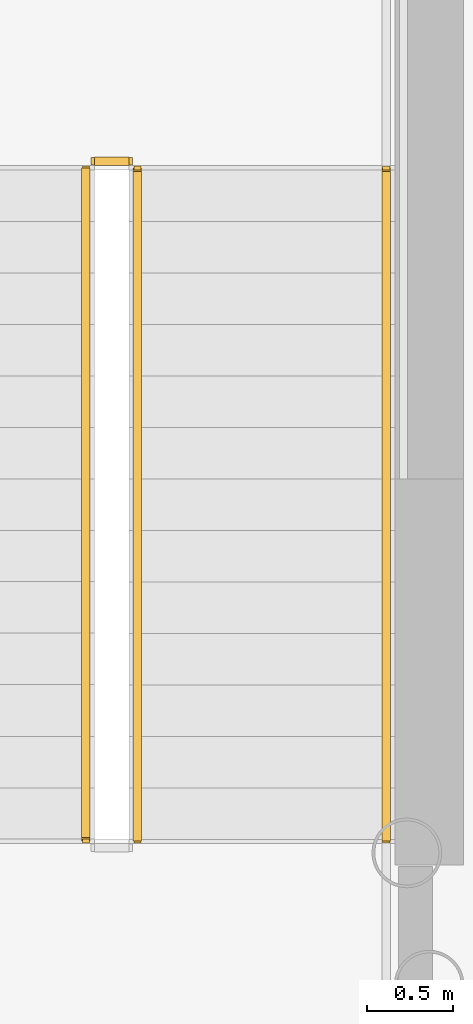
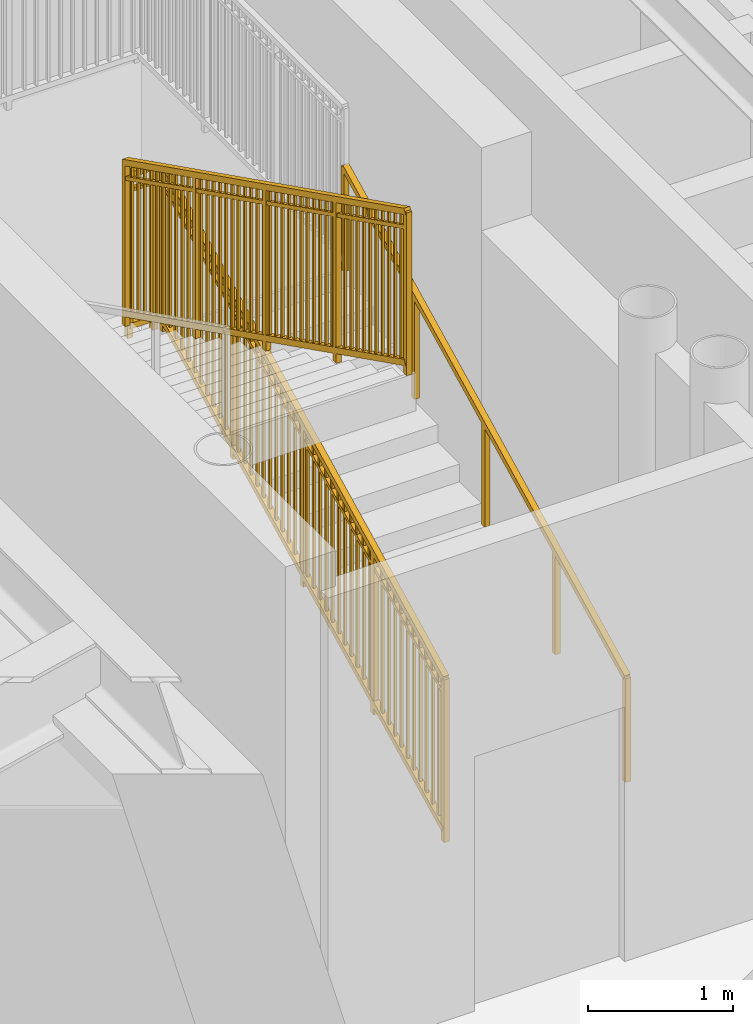
# One storey, part 16 of 21: 4 railings.
"""IFC4 building model written with IfcOpenShell, lengths in metres."""

from ifc_helpers import new_model, si_unit, direction, frame, origin, origin_2d, place, context, subcontext, project, spatial, rectangle, extrude, source, transform, mapped, material, type_object, element, save


model = new_model("IFC4")

# Units and contexts
model_context = context("Model", 3, precision=1e-05, world=origin(), true_north=direction((0.0, 1.0)))
body_context = subcontext(model_context, "Body", "Model", "MODEL_VIEW")
ifc_project = project(units=[si_unit("LENGTHUNIT", "METRE"), si_unit("AREAUNIT", "SQUARE_METRE"), si_unit("VOLUMEUNIT", "CUBIC_METRE"), si_unit("PLANEANGLEUNIT", "RADIAN"), si_unit("MASSUNIT", "GRAM", prefix="KILO")], contexts=[model_context])

# Site, building, storey
site_placement = place(None, origin())
site = spatial("IfcSite", under=ifc_project, at=site_placement, CompositionType="ELEMENT")
building_placement = place(site_placement, origin())
building = spatial("IfcBuilding", under=site, at=building_placement, Name="Linh Dai School and Residence Tower", CompositionType="ELEMENT")
storey_placement = place(building_placement, frame((0.0, 0.0, 82.800048828125)))
storey = spatial("IfcBuildingStorey", under=building, at=storey_placement, Name="L19", CompositionType="ELEMENT", Elevation=82.800048828125)

# Railings
ifc_material_1 = material(Name="Structural Steel S355JR", Category="steel")
railing_type_1 = type_object("IfcRailingType", Name="RL-ST-GUARD-1400", PredefinedType="GUARDRAIL", material=ifc_material_1)
shared_shape_1 = source(origin(), body_context, "Body", "SweptSolid", [
    extrude(rectangle(XDim=0.048095703125, YDim=0.048095703125, at=origin_2d()), frame((0.0, 0.0, 1.3759765625), z_axis=(-1.0, 0.0, 0.0), x_axis=(0.0, -1.0, 0.0)), (0.0, 0.0, 1.0), 0.199951171875),
    extrude(rectangle(XDim=0.048095703125, YDim=0.048095703125, at=origin_2d()), frame((0.0, 0.0, 0.10009765625), z_axis=(-1.0, 0.0, 0.0), x_axis=(0.0, -1.0, 0.0)), (0.0, 0.0, 1.0), 0.199951171875),
    extrude(rectangle(XDim=0.030029296875, YDim=0.030029296875, at=origin_2d()), frame((0.0, 0.0, 1.239990234375), z_axis=(-1.0, 0.0, 0.0), x_axis=(0.0, -1.0, 0.0)), (0.0, 0.0, 1.0), 0.199951171875),
    extrude(rectangle(XDim=0.0419921875, YDim=0.0419921875, at=origin_2d()), origin(), (0.0, 0.0, 1.0), 1.3759765625),
    extrude(rectangle(XDim=0.0419921875, YDim=0.0419921875, at=origin_2d()), frame((-0.199951171875, 0.0, 0.0)), (0.0, 0.0, 1.0), 1.3759765625),
])
railing_1_placement = place(storey_placement, frame((29.429931640625, 29.64990234375, 2.099853515625)))
element("IfcRailing", 1, at=railing_1_placement, inside=storey, type_object=railing_type_1, Name="L19 ST1 stair guard 2", PredefinedType="GUARDRAIL", context=body_context, shape_type="MappedRepresentation", body=[
    mapped(shared_shape_1, transform((0.0, 0.0, 0.0), x_axis=(1.0, 0.0, 0.0), y_axis=(0.0, 1.0, 0.0), z_axis=(0.0, 0.0, 1.0), scale=1.0)),
])
shared_shape_2 = source(origin(), body_context, "Body", "SweptSolid", [
    extrude(rectangle(XDim=0.048095703125, YDim=0.048095703125, at=origin_2d()), frame((0.0, 0.0, 1.3759765625), z_axis=(0.0, -0.894438388696, 0.447191199406), x_axis=(1.0, 0.0, 0.0)), (0.0, 0.0, 1.0), 4.3603515625),
    extrude(rectangle(XDim=0.048095703125, YDim=0.048095703125, at=origin_2d()), frame((0.0, 0.0, 0.10009765625), z_axis=(0.0, -0.894438388696, 0.447191199406), x_axis=(1.0, 0.0, 0.0)), (0.0, 0.0, 1.0), 4.3603515625),
    extrude(rectangle(XDim=0.030029296875, YDim=0.030029296875, at=origin_2d()), frame((0.0, 0.0, 1.239990234375), z_axis=(0.0, -0.894438388696, 0.447191199406), x_axis=(1.0, 0.0, 0.0)), (0.0, 0.0, 1.0), 4.3603515625),
    extrude(rectangle(XDim=0.02001953125, YDim=0.02001953125, at=origin_2d()), frame((0.0, -0.086669921875, 0.143310546875)), (0.0, 0.0, 1.0), 1.251708984375),
    extrude(rectangle(XDim=0.02001953125, YDim=0.02001953125, at=origin_2d()), frame((0.0, -0.17333984375, 0.186767578125)), (0.0, 0.0, 1.0), 1.251708984375),
    extrude(rectangle(XDim=0.02001953125, YDim=0.02001953125, at=origin_2d()), frame((0.0, -0.260009765625, 0.22998046875)), (0.0, 0.0, 1.0), 1.251708984375),
    extrude(rectangle(XDim=0.02001953125, YDim=0.02001953125, at=origin_2d()), frame((0.0, -0.3466796875, 0.2734375)), (0.0, 0.0, 1.0), 1.251708984375),
    extrude(rectangle(XDim=0.02001953125, YDim=0.02001953125, at=origin_2d()), frame((0.0, -0.433349609375, 0.316650390625)), (0.0, 0.0, 1.0), 1.251708984375),
    extrude(rectangle(XDim=0.02001953125, YDim=0.02001953125, at=origin_2d()), frame((0.0, -0.52001953125, 0.360107421875)), (0.0, 0.0, 1.0), 1.251708984375),
    extrude(rectangle(XDim=0.02001953125, YDim=0.02001953125, at=origin_2d()), frame((0.0, -0.606689453125, 0.4033203125)), (0.0, 0.0, 1.0), 1.251708984375),
    extrude(rectangle(XDim=0.02001953125, YDim=0.02001953125, at=origin_2d()), frame((0.0, -0.693359375, 0.44677734375)), (0.0, 0.0, 1.0), 1.251708984375),
    extrude(rectangle(XDim=0.02001953125, YDim=0.02001953125, at=origin_2d()), frame((0.0, -0.780029296875, 0.489990234375)), (0.0, 0.0, 1.0), 1.251708984375),
    extrude(rectangle(XDim=0.02001953125, YDim=0.02001953125, at=origin_2d()), frame((0.0, -0.86669921875, 0.533447265625)), (0.0, 0.0, 1.0), 1.251708984375),
    extrude(rectangle(XDim=0.02001953125, YDim=0.02001953125, at=origin_2d()), frame((0.0, -1.0400390625, 0.6201171875)), (0.0, 0.0, 1.0), 1.251708984375),
    extrude(rectangle(XDim=0.02001953125, YDim=0.02001953125, at=origin_2d()), frame((0.0, -1.126708984375, 0.663330078125)), (0.0, 0.0, 1.0), 1.251708984375),
    extrude(rectangle(XDim=0.02001953125, YDim=0.02001953125, at=origin_2d()), frame((0.0, -1.21337890625, 0.706787109375)), (0.0, 0.0, 1.0), 1.251708984375),
    extrude(rectangle(XDim=0.02001953125, YDim=0.02001953125, at=origin_2d()), frame((0.0, -1.300048828125, 0.75)), (0.0, 0.0, 1.0), 1.251708984375),
    extrude(rectangle(XDim=0.02001953125, YDim=0.02001953125, at=origin_2d()), frame((0.0, -1.38671875, 0.79345703125)), (0.0, 0.0, 1.0), 1.251708984375),
    extrude(rectangle(XDim=0.02001953125, YDim=0.02001953125, at=origin_2d()), frame((0.0, -1.473388671875, 0.836669921875)), (0.0, 0.0, 1.0), 1.251708984375),
    extrude(rectangle(XDim=0.02001953125, YDim=0.02001953125, at=origin_2d()), frame((0.0, -1.56005859375, 0.880126953125)), (0.0, 0.0, 1.0), 1.251708984375),
    extrude(rectangle(XDim=0.02001953125, YDim=0.02001953125, at=origin_2d()), frame((0.0, -1.646728515625, 0.92333984375)), (0.0, 0.0, 1.0), 1.251708984375),
    extrude(rectangle(XDim=0.02001953125, YDim=0.02001953125, at=origin_2d()), frame((0.0, -1.7333984375, 0.966796875)), (0.0, 0.0, 1.0), 1.251708984375),
    extrude(rectangle(XDim=0.02001953125, YDim=0.02001953125, at=origin_2d()), frame((0.0, -1.820068359375, 1.010009765625)), (0.0, 0.0, 1.0), 1.251708984375),
    extrude(rectangle(XDim=0.02001953125, YDim=0.02001953125, at=origin_2d()), frame((0.0, -1.90673828125, 1.053466796875)), (0.0, 0.0, 1.0), 1.251708984375),
    extrude(rectangle(XDim=0.02001953125, YDim=0.02001953125, at=origin_2d()), frame((0.0, -1.993408203125, 1.0966796875)), (0.0, 0.0, 1.0), 1.251708984375),
    extrude(rectangle(XDim=0.02001953125, YDim=0.02001953125, at=origin_2d()), frame((0.0, -2.080078125, 1.14013671875)), (0.0, 0.0, 1.0), 1.251708984375),
    extrude(rectangle(XDim=0.02001953125, YDim=0.02001953125, at=origin_2d()), frame((0.0, -2.166748046875, 1.183349609375)), (0.0, 0.0, 1.0), 1.251708984375),
    extrude(rectangle(XDim=0.02001953125, YDim=0.02001953125, at=origin_2d()), frame((0.0, -2.25341796875, 1.226806640625)), (0.0, 0.0, 1.0), 1.251708984375),
    extrude(rectangle(XDim=0.02001953125, YDim=0.02001953125, at=origin_2d()), frame((0.0, -2.340087890625, 1.27001953125)), (0.0, 0.0, 1.0), 1.251708984375),
    extrude(rectangle(XDim=0.02001953125, YDim=0.02001953125, at=origin_2d()), frame((0.0, -2.4267578125, 1.3134765625)), (0.0, 0.0, 1.0), 1.251708984375),
    extrude(rectangle(XDim=0.02001953125, YDim=0.02001953125, at=origin_2d()), frame((0.0, -2.513427734375, 1.356689453125)), (0.0, 0.0, 1.0), 1.251708984375),
    extrude(rectangle(XDim=0.02001953125, YDim=0.02001953125, at=origin_2d()), frame((0.0, -2.60009765625, 1.400146484375)), (0.0, 0.0, 1.0), 1.251708984375),
    extrude(rectangle(XDim=0.02001953125, YDim=0.02001953125, at=origin_2d()), frame((0.0, -2.686767578125, 1.443359375)), (0.0, 0.0, 1.0), 1.251708984375),
    extrude(rectangle(XDim=0.02001953125, YDim=0.02001953125, at=origin_2d()), frame((0.0, -2.7734375, 1.48681640625)), (0.0, 0.0, 1.0), 1.251708984375),
    extrude(rectangle(XDim=0.02001953125, YDim=0.02001953125, at=origin_2d()), frame((0.0, -2.860107421875, 1.530029296875)), (0.0, 0.0, 1.0), 1.251708984375),
    extrude(rectangle(XDim=0.02001953125, YDim=0.02001953125, at=origin_2d()), frame((0.0, -3.033447265625, 1.61669921875)), (0.0, 0.0, 1.0), 1.251708984375),
    extrude(rectangle(XDim=0.02001953125, YDim=0.02001953125, at=origin_2d()), frame((0.0, -3.1201171875, 1.66015625)), (0.0, 0.0, 1.0), 1.251708984375),
    extrude(rectangle(XDim=0.02001953125, YDim=0.02001953125, at=origin_2d()), frame((0.0, -3.206787109375, 1.703369140625)), (0.0, 0.0, 1.0), 1.251708984375),
    extrude(rectangle(XDim=0.02001953125, YDim=0.02001953125, at=origin_2d()), frame((0.0, -3.29345703125, 1.746826171875)), (0.0, 0.0, 1.0), 1.251708984375),
    extrude(rectangle(XDim=0.02001953125, YDim=0.02001953125, at=origin_2d()), frame((0.0, -3.380126953125, 1.7900390625)), (0.0, 0.0, 1.0), 1.251708984375),
    extrude(rectangle(XDim=0.02001953125, YDim=0.02001953125, at=origin_2d()), frame((0.0, -3.466796875, 1.83349609375)), (0.0, 0.0, 1.0), 1.251708984375),
    extrude(rectangle(XDim=0.02001953125, YDim=0.02001953125, at=origin_2d()), frame((0.0, -3.553466796875, 1.876708984375)), (0.0, 0.0, 1.0), 1.251708984375),
    extrude(rectangle(XDim=0.02001953125, YDim=0.02001953125, at=origin_2d()), frame((0.0, -3.64013671875, 1.920166015625)), (0.0, 0.0, 1.0), 1.251708984375),
    extrude(rectangle(XDim=0.02001953125, YDim=0.02001953125, at=origin_2d()), frame((0.0, -3.726806640625, 1.96337890625)), (0.0, 0.0, 1.0), 1.251708984375),
    extrude(rectangle(XDim=0.02001953125, YDim=0.02001953125, at=origin_2d()), frame((0.0, -3.8134765625, 2.0068359375)), (0.0, 0.0, 1.0), 1.251708984375),
    extrude(rectangle(XDim=0.0419921875, YDim=0.0419921875, at=origin_2d()), origin(), (0.0, 0.0, 1.0), 1.3759765625),
    extrude(rectangle(XDim=0.0419921875, YDim=0.0419921875, at=origin_2d()), frame((0.0, -0.97509765625, 0.487548828125)), (0.0, 0.0, 1.0), 1.3759765625),
    extrude(rectangle(XDim=0.0419921875, YDim=0.0419921875, at=origin_2d()), frame((0.0, -1.9501953125, 0.97509765625)), (0.0, 0.0, 1.0), 1.3759765625),
    extrude(rectangle(XDim=0.0419921875, YDim=0.0419921875, at=origin_2d()), frame((0.0, -2.925048828125, 1.46240234375)), (0.0, 0.0, 1.0), 1.3759765625),
    extrude(rectangle(XDim=0.0419921875, YDim=0.0419921875, at=origin_2d()), frame((0.0, -3.900146484375, 1.949951171875)), (0.0, 0.0, 1.0), 1.3759765625),
])
railing_2_placement = place(storey_placement, frame((29.179931640625, 29.60009765625, 2.25)))
element("IfcRailing", 2, at=railing_2_placement, inside=storey, type_object=railing_type_1, Name="L19 ST1 stair guard 6", PredefinedType="GUARDRAIL", context=body_context, shape_type="MappedRepresentation", body=[
    mapped(shared_shape_2, transform((0.0, 0.0, 0.0), x_axis=(1.0, 0.0, 0.0), y_axis=(0.0, 1.0, 0.0), z_axis=(0.0, 0.0, 1.0), scale=1.0)),
])
shared_shape_3 = source(origin(), body_context, "Body", "SweptSolid", [
    extrude(rectangle(XDim=0.048095703125, YDim=0.048095703125, at=origin_2d()), frame((0.0, 0.0, 1.3759765625), z_axis=(0.0, 0.894438388696, 0.447191199406), x_axis=(-1.0, 0.0, 0.0)), (0.0, 0.0, 1.0), 4.3603515625),
    extrude(rectangle(XDim=0.048095703125, YDim=0.048095703125, at=origin_2d()), frame((0.0, 0.0, 0.10009765625), z_axis=(0.0, 0.894438388696, 0.447191199406), x_axis=(-1.0, 0.0, 0.0)), (0.0, 0.0, 1.0), 4.3603515625),
    extrude(rectangle(XDim=0.030029296875, YDim=0.030029296875, at=origin_2d()), frame((0.0, 0.0, 1.239990234375), z_axis=(0.0, 0.894438388696, 0.447191199406), x_axis=(-1.0, 0.0, 0.0)), (0.0, 0.0, 1.0), 4.3603515625),
    extrude(rectangle(XDim=0.02001953125, YDim=0.02001953125, at=origin_2d()), frame((0.0, 0.086669921875, 0.143310546875)), (0.0, 0.0, 1.0), 1.251708984375),
    extrude(rectangle(XDim=0.02001953125, YDim=0.02001953125, at=origin_2d()), frame((0.0, 0.17333984375, 0.186767578125)), (0.0, 0.0, 1.0), 1.251708984375),
    extrude(rectangle(XDim=0.02001953125, YDim=0.02001953125, at=origin_2d()), frame((0.0, 0.260009765625, 0.22998046875)), (0.0, 0.0, 1.0), 1.251708984375),
    extrude(rectangle(XDim=0.02001953125, YDim=0.02001953125, at=origin_2d()), frame((0.0, 0.3466796875, 0.2734375)), (0.0, 0.0, 1.0), 1.251708984375),
    extrude(rectangle(XDim=0.02001953125, YDim=0.02001953125, at=origin_2d()), frame((0.0, 0.433349609375, 0.316650390625)), (0.0, 0.0, 1.0), 1.251708984375),
    extrude(rectangle(XDim=0.02001953125, YDim=0.02001953125, at=origin_2d()), frame((0.0, 0.52001953125, 0.360107421875)), (0.0, 0.0, 1.0), 1.251708984375),
    extrude(rectangle(XDim=0.02001953125, YDim=0.02001953125, at=origin_2d()), frame((0.0, 0.606689453125, 0.4033203125)), (0.0, 0.0, 1.0), 1.251708984375),
    extrude(rectangle(XDim=0.02001953125, YDim=0.02001953125, at=origin_2d()), frame((0.0, 0.693359375, 0.44677734375)), (0.0, 0.0, 1.0), 1.251708984375),
    extrude(rectangle(XDim=0.02001953125, YDim=0.02001953125, at=origin_2d()), frame((0.0, 0.780029296875, 0.489990234375)), (0.0, 0.0, 1.0), 1.251708984375),
    extrude(rectangle(XDim=0.02001953125, YDim=0.02001953125, at=origin_2d()), frame((0.0, 0.86669921875, 0.533447265625)), (0.0, 0.0, 1.0), 1.251708984375),
    extrude(rectangle(XDim=0.02001953125, YDim=0.02001953125, at=origin_2d()), frame((0.0, 1.0400390625, 0.6201171875)), (0.0, 0.0, 1.0), 1.251708984375),
    extrude(rectangle(XDim=0.02001953125, YDim=0.02001953125, at=origin_2d()), frame((0.0, 1.126708984375, 0.663330078125)), (0.0, 0.0, 1.0), 1.251708984375),
    extrude(rectangle(XDim=0.02001953125, YDim=0.02001953125, at=origin_2d()), frame((0.0, 1.21337890625, 0.706787109375)), (0.0, 0.0, 1.0), 1.251708984375),
    extrude(rectangle(XDim=0.02001953125, YDim=0.02001953125, at=origin_2d()), frame((0.0, 1.300048828125, 0.75)), (0.0, 0.0, 1.0), 1.251708984375),
    extrude(rectangle(XDim=0.02001953125, YDim=0.02001953125, at=origin_2d()), frame((0.0, 1.38671875, 0.79345703125)), (0.0, 0.0, 1.0), 1.251708984375),
    extrude(rectangle(XDim=0.02001953125, YDim=0.02001953125, at=origin_2d()), frame((0.0, 1.473388671875, 0.836669921875)), (0.0, 0.0, 1.0), 1.251708984375),
    extrude(rectangle(XDim=0.02001953125, YDim=0.02001953125, at=origin_2d()), frame((0.0, 1.56005859375, 0.880126953125)), (0.0, 0.0, 1.0), 1.251708984375),
    extrude(rectangle(XDim=0.02001953125, YDim=0.02001953125, at=origin_2d()), frame((0.0, 1.646728515625, 0.92333984375)), (0.0, 0.0, 1.0), 1.251708984375),
    extrude(rectangle(XDim=0.02001953125, YDim=0.02001953125, at=origin_2d()), frame((0.0, 1.7333984375, 0.966796875)), (0.0, 0.0, 1.0), 1.251708984375),
    extrude(rectangle(XDim=0.02001953125, YDim=0.02001953125, at=origin_2d()), frame((0.0, 1.820068359375, 1.010009765625)), (0.0, 0.0, 1.0), 1.251708984375),
    extrude(rectangle(XDim=0.02001953125, YDim=0.02001953125, at=origin_2d()), frame((0.0, 1.90673828125, 1.053466796875)), (0.0, 0.0, 1.0), 1.251708984375),
    extrude(rectangle(XDim=0.02001953125, YDim=0.02001953125, at=origin_2d()), frame((0.0, 1.993408203125, 1.0966796875)), (0.0, 0.0, 1.0), 1.251708984375),
    extrude(rectangle(XDim=0.02001953125, YDim=0.02001953125, at=origin_2d()), frame((0.0, 2.080078125, 1.14013671875)), (0.0, 0.0, 1.0), 1.251708984375),
    extrude(rectangle(XDim=0.02001953125, YDim=0.02001953125, at=origin_2d()), frame((0.0, 2.166748046875, 1.183349609375)), (0.0, 0.0, 1.0), 1.251708984375),
    extrude(rectangle(XDim=0.02001953125, YDim=0.02001953125, at=origin_2d()), frame((0.0, 2.25341796875, 1.226806640625)), (0.0, 0.0, 1.0), 1.251708984375),
    extrude(rectangle(XDim=0.02001953125, YDim=0.02001953125, at=origin_2d()), frame((0.0, 2.340087890625, 1.27001953125)), (0.0, 0.0, 1.0), 1.251708984375),
    extrude(rectangle(XDim=0.02001953125, YDim=0.02001953125, at=origin_2d()), frame((0.0, 2.4267578125, 1.3134765625)), (0.0, 0.0, 1.0), 1.251708984375),
    extrude(rectangle(XDim=0.02001953125, YDim=0.02001953125, at=origin_2d()), frame((0.0, 2.513427734375, 1.356689453125)), (0.0, 0.0, 1.0), 1.251708984375),
    extrude(rectangle(XDim=0.02001953125, YDim=0.02001953125, at=origin_2d()), frame((0.0, 2.60009765625, 1.400146484375)), (0.0, 0.0, 1.0), 1.251708984375),
    extrude(rectangle(XDim=0.02001953125, YDim=0.02001953125, at=origin_2d()), frame((0.0, 2.686767578125, 1.443359375)), (0.0, 0.0, 1.0), 1.251708984375),
    extrude(rectangle(XDim=0.02001953125, YDim=0.02001953125, at=origin_2d()), frame((0.0, 2.7734375, 1.48681640625)), (0.0, 0.0, 1.0), 1.251708984375),
    extrude(rectangle(XDim=0.02001953125, YDim=0.02001953125, at=origin_2d()), frame((0.0, 2.860107421875, 1.530029296875)), (0.0, 0.0, 1.0), 1.251708984375),
    extrude(rectangle(XDim=0.02001953125, YDim=0.02001953125, at=origin_2d()), frame((0.0, 3.033447265625, 1.61669921875)), (0.0, 0.0, 1.0), 1.251708984375),
    extrude(rectangle(XDim=0.02001953125, YDim=0.02001953125, at=origin_2d()), frame((0.0, 3.1201171875, 1.66015625)), (0.0, 0.0, 1.0), 1.251708984375),
    extrude(rectangle(XDim=0.02001953125, YDim=0.02001953125, at=origin_2d()), frame((0.0, 3.206787109375, 1.703369140625)), (0.0, 0.0, 1.0), 1.251708984375),
    extrude(rectangle(XDim=0.02001953125, YDim=0.02001953125, at=origin_2d()), frame((0.0, 3.29345703125, 1.746826171875)), (0.0, 0.0, 1.0), 1.251708984375),
    extrude(rectangle(XDim=0.02001953125, YDim=0.02001953125, at=origin_2d()), frame((0.0, 3.380126953125, 1.7900390625)), (0.0, 0.0, 1.0), 1.251708984375),
    extrude(rectangle(XDim=0.02001953125, YDim=0.02001953125, at=origin_2d()), frame((0.0, 3.466796875, 1.83349609375)), (0.0, 0.0, 1.0), 1.251708984375),
    extrude(rectangle(XDim=0.02001953125, YDim=0.02001953125, at=origin_2d()), frame((0.0, 3.553466796875, 1.876708984375)), (0.0, 0.0, 1.0), 1.251708984375),
    extrude(rectangle(XDim=0.02001953125, YDim=0.02001953125, at=origin_2d()), frame((0.0, 3.64013671875, 1.920166015625)), (0.0, 0.0, 1.0), 1.251708984375),
    extrude(rectangle(XDim=0.02001953125, YDim=0.02001953125, at=origin_2d()), frame((0.0, 3.726806640625, 1.96337890625)), (0.0, 0.0, 1.0), 1.251708984375),
    extrude(rectangle(XDim=0.02001953125, YDim=0.02001953125, at=origin_2d()), frame((0.0, 3.8134765625, 2.0068359375)), (0.0, 0.0, 1.0), 1.251708984375),
    extrude(rectangle(XDim=0.0419921875, YDim=0.0419921875, at=origin_2d()), origin(), (0.0, 0.0, 1.0), 1.3759765625),
    extrude(rectangle(XDim=0.0419921875, YDim=0.0419921875, at=origin_2d()), frame((0.0, 0.97509765625, 0.487548828125)), (0.0, 0.0, 1.0), 1.3759765625),
    extrude(rectangle(XDim=0.0419921875, YDim=0.0419921875, at=origin_2d()), frame((0.0, 1.9501953125, 0.97509765625)), (0.0, 0.0, 1.0), 1.3759765625),
    extrude(rectangle(XDim=0.0419921875, YDim=0.0419921875, at=origin_2d()), frame((0.0, 2.925048828125, 1.46240234375)), (0.0, 0.0, 1.0), 1.3759765625),
    extrude(rectangle(XDim=0.0419921875, YDim=0.0419921875, at=origin_2d()), frame((0.0, 3.900146484375, 1.949951171875)), (0.0, 0.0, 1.0), 1.3759765625),
])
railing_3_placement = place(storey_placement, frame((29.47998046875, 25.699951171875, 0.14990234375)))
element("IfcRailing", 3, at=railing_3_placement, inside=storey, type_object=railing_type_1, Name="L19 ST1 stair guard 1", PredefinedType="GUARDRAIL", context=body_context, shape_type="MappedRepresentation", body=[
    mapped(shared_shape_3, transform((0.0, 0.0, 0.0), x_axis=(1.0, 0.0, 0.0), y_axis=(0.0, 1.0, 0.0), z_axis=(0.0, 0.0, 1.0), scale=1.0)),
])
ifc_material_2 = material(Name="Brushed Stainless Steel Handrail", Category="steel")
railing_type_2 = type_object("IfcRailingType", Name="RL-ST-HANDRAIL-900", PredefinedType="HANDRAIL", material=ifc_material_2)
shared_shape_4 = source(origin(), body_context, "Body", "SweptSolid", [
    extrude(rectangle(XDim=0.048095703125, YDim=0.048095703125, at=origin_2d()), frame((0.0, 0.0, 0.8759765625), z_axis=(0.0, 0.894438388696, 0.447191199406), x_axis=(-1.0, 0.0, 0.0)), (0.0, 0.0, 1.0), 4.3603515625),
    extrude(rectangle(XDim=0.0419921875, YDim=0.0419921875, at=origin_2d()), origin(), (0.0, 0.0, 1.0), 0.8759765625),
    extrude(rectangle(XDim=0.0419921875, YDim=0.0419921875, at=origin_2d()), frame((0.0, 0.97509765625, 0.487548828125)), (0.0, 0.0, 1.0), 0.8759765625),
    extrude(rectangle(XDim=0.0419921875, YDim=0.0419921875, at=origin_2d()), frame((0.0, 1.9501953125, 0.97509765625)), (0.0, 0.0, 1.0), 0.8759765625),
    extrude(rectangle(XDim=0.0419921875, YDim=0.0419921875, at=origin_2d()), frame((0.0, 2.925048828125, 1.46240234375)), (0.0, 0.0, 1.0), 0.8759765625),
    extrude(rectangle(XDim=0.0419921875, YDim=0.0419921875, at=origin_2d()), frame((0.0, 3.900146484375, 1.949951171875)), (0.0, 0.0, 1.0), 0.8759765625),
])
railing_4_placement = place(storey_placement, frame((30.929931640625, 25.699951171875, 0.14990234375)))
element("IfcRailing", 4, at=railing_4_placement, inside=storey, type_object=railing_type_2, Name="L19 ST1 stair handrail 1", PredefinedType="HANDRAIL", context=body_context, shape_type="MappedRepresentation", body=[
    mapped(shared_shape_4, transform((0.0, 0.0, 0.0), x_axis=(1.0, 0.0, 0.0), y_axis=(0.0, 1.0, 0.0), z_axis=(0.0, 0.0, 1.0), scale=1.0)),
])

save(model, "model.ifc")
